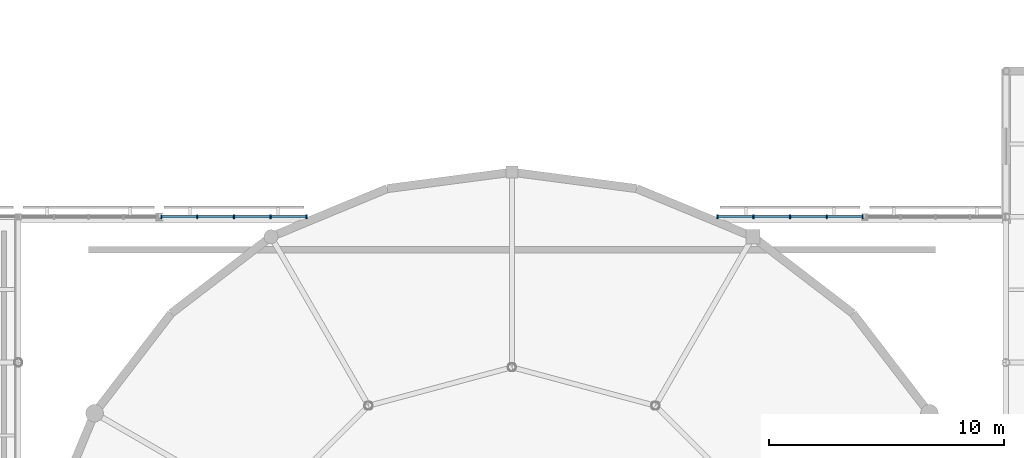
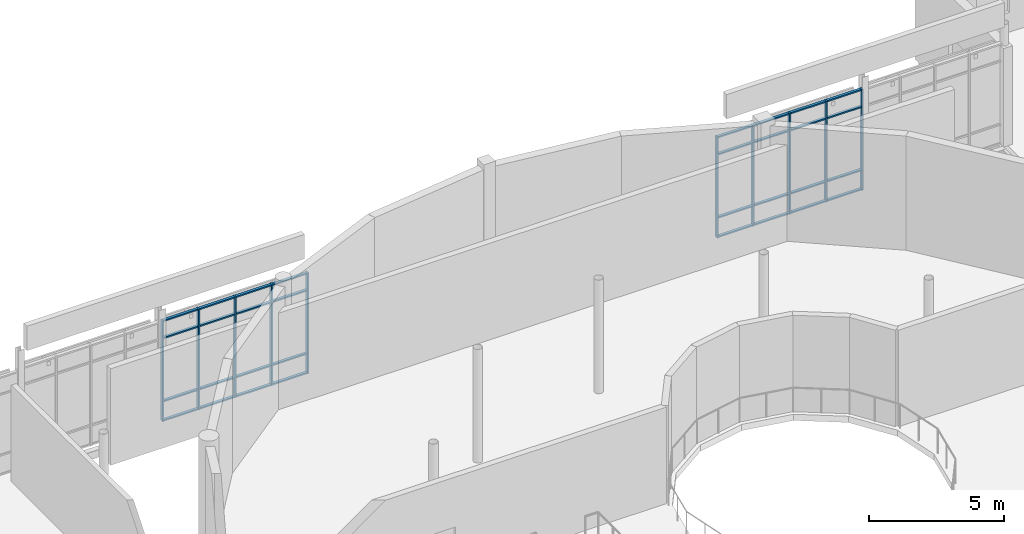
# One storey, part 40 of 105: 42 members, 2 elements without a shape of their own.
"""IFC4 building model written with IfcOpenShell, lengths in metres."""

from ifc_helpers import new_model, si_unit, direction, frame, origin, origin_2d, place, context, subcontext, project, spatial, rectangle, extrude, material, layer, layer_set, material_profile, profile_set, type_object, element, aggregate, save


model = new_model("IFC4")

# Units and contexts
model_context = context("Model", 3, precision=1e-05, world=origin(), true_north=direction((0.0, 1.0)))
body_context = subcontext(model_context, "Body", "Model", "MODEL_VIEW")
ifc_project = project(units=[si_unit("LENGTHUNIT", "METRE"), si_unit("AREAUNIT", "SQUARE_METRE"), si_unit("VOLUMEUNIT", "CUBIC_METRE"), si_unit("PLANEANGLEUNIT", "RADIAN"), si_unit("MASSUNIT", "GRAM", prefix="KILO")], contexts=[model_context])

# Site, building, storey
site_placement = place(None, origin())
site = spatial("IfcSite", under=ifc_project, at=site_placement, CompositionType="ELEMENT")
building_placement = place(site_placement, origin())
building = spatial("IfcBuilding", under=site, at=building_placement, Name="Mirzam Square Science Centre", CompositionType="ELEMENT")
storey_placement = place(building_placement, frame((0.0, 0.0, 5.39990234375)))
storey = spatial("IfcBuildingStorey", under=building, at=storey_placement, Name="L01", CompositionType="ELEMENT", Elevation=5.39990234375)

# Curtain wall, members
ifc_material_1 = material(Name="Anodised Aluminium and Low-E Solar Glass", Category="aluminium")
ifc_layer = layer(ifc_material_1, 0.199951171875)
ifc_layer_set = layer_set([ifc_layer], Name="CW-EAST-A")
curtain_wall_type = type_object("IfcCurtainWallType", Name="CW-EAST-A", PredefinedType="USERDEFINED", material=ifc_layer_set)
curtain_wall_1_placement = place(storey_placement, origin())
curtain_wall_1 = element("IfcCurtainWall", 1, at=curtain_wall_1_placement, inside=storey, type_object=curtain_wall_type, Name="L01 unitised curtain wall 52", ObjectType="UNITISED CURTAIN WALL", PredefinedType="USERDEFINED")
ifc_material_2 = material(Name="Anodised Architectural Aluminium 6063-T6", Category="aluminium")
ifc_material_profile_1 = material_profile(ifc_material_2, rectangle(XDim=0.06005859375, YDim=0.159912109375, at=origin_2d()), Name="ALU-MULL-160x60x4")
ifc_profile_set_1 = profile_set([ifc_material_profile_1], Name="Anodised Architectural Aluminium 6063-T6")
member_type_1 = type_object("IfcMemberType", Name="CWM-160", PredefinedType="MULLION", material=ifc_profile_set_1)
member_1_placement = place(storey_placement, frame((72.264892578125, 80.60009765625, 0.0), z_axis=(0.0, 0.0, 1.0), x_axis=(-1.0, 0.0, 0.0)))
member_1 = element("IfcMember", 2, at=member_1_placement, type_object=member_type_1, Name="CW-05 mullion 1", PredefinedType="MULLION", context=body_context, shape_type="SweptSolid", body=[
    extrude(rectangle(XDim=0.06005859375, YDim=0.159912109375, at=origin_2d()), origin(), (0.0, 0.0, 1.0), 4.550048828125),
])
member_2_placement = place(storey_placement, frame((70.735107421875, 80.60009765625, 0.0), z_axis=(0.0, 0.0, 1.0), x_axis=(-1.0, 0.0, 0.0)))
member_2 = element("IfcMember", 3, at=member_2_placement, type_object=member_type_1, Name="CW-05 mullion 2", PredefinedType="MULLION", context=body_context, shape_type="SweptSolid", body=[
    extrude(rectangle(XDim=0.06005859375, YDim=0.159912109375, at=origin_2d()), origin(), (0.0, 0.0, 1.0), 4.550048828125),
])
member_3_placement = place(storey_placement, frame((69.175048828125, 80.60009765625, 0.0), z_axis=(0.0, 0.0, 1.0), x_axis=(-1.0, 0.0, 0.0)))
member_3 = element("IfcMember", 4, at=member_3_placement, type_object=member_type_1, Name="CW-05 mullion 3", PredefinedType="MULLION", context=body_context, shape_type="SweptSolid", body=[
    extrude(rectangle(XDim=0.06005859375, YDim=0.159912109375, at=origin_2d()), origin(), (0.0, 0.0, 1.0), 4.550048828125),
])
member_4_placement = place(storey_placement, frame((67.614990234375, 80.60009765625, 0.0), z_axis=(0.0, 0.0, 1.0), x_axis=(-1.0, 0.0, 0.0)))
member_4 = element("IfcMember", 5, at=member_4_placement, type_object=member_type_1, Name="CW-05 mullion 4", PredefinedType="MULLION", context=body_context, shape_type="SweptSolid", body=[
    extrude(rectangle(XDim=0.06005859375, YDim=0.159912109375, at=origin_2d()), origin(), (0.0, 0.0, 1.0), 4.550048828125),
])
member_5_placement = place(storey_placement, frame((66.0849609375, 80.60009765625, 0.0), z_axis=(0.0, 0.0, 1.0), x_axis=(-1.0, 0.0, 0.0)))
member_5 = element("IfcMember", 6, at=member_5_placement, type_object=member_type_1, Name="CW-05 mullion 5", PredefinedType="MULLION", context=body_context, shape_type="SweptSolid", body=[
    extrude(rectangle(XDim=0.06005859375, YDim=0.159912109375, at=origin_2d()), origin(), (0.0, 0.0, 1.0), 4.550048828125),
])

curtain_wall_2_placement = place(storey_placement, origin())
curtain_wall_2 = element("IfcCurtainWall", 7, at=curtain_wall_2_placement, inside=storey, type_object=curtain_wall_type, Name="L01 unitised curtain wall 54", ObjectType="UNITISED CURTAIN WALL", PredefinedType="USERDEFINED")
member_6_placement = place(storey_placement, frame((95.9150390625, 80.60009765625, 0.0), z_axis=(0.0, 0.0, 1.0), x_axis=(-1.0, 0.0, 0.0)))
member_6 = element("IfcMember", 8, at=member_6_placement, type_object=member_type_1, Name="CW-05 mullion 1", PredefinedType="MULLION", context=body_context, shape_type="SweptSolid", body=[
    extrude(rectangle(XDim=0.06005859375, YDim=0.159912109375, at=origin_2d()), origin(), (0.0, 0.0, 1.0), 4.550048828125),
])
member_7_placement = place(storey_placement, frame((94.385009765625, 80.60009765625, 0.0), z_axis=(0.0, 0.0, 1.0), x_axis=(-1.0, 0.0, 0.0)))
member_7 = element("IfcMember", 9, at=member_7_placement, type_object=member_type_1, Name="CW-05 mullion 2", PredefinedType="MULLION", context=body_context, shape_type="SweptSolid", body=[
    extrude(rectangle(XDim=0.06005859375, YDim=0.159912109375, at=origin_2d()), origin(), (0.0, 0.0, 1.0), 4.550048828125),
])
member_8_placement = place(storey_placement, frame((92.824951171875, 80.60009765625, 0.0), z_axis=(0.0, 0.0, 1.0), x_axis=(-1.0, 0.0, 0.0)))
member_8 = element("IfcMember", 10, at=member_8_placement, type_object=member_type_1, Name="CW-05 mullion 3", PredefinedType="MULLION", context=body_context, shape_type="SweptSolid", body=[
    extrude(rectangle(XDim=0.06005859375, YDim=0.159912109375, at=origin_2d()), origin(), (0.0, 0.0, 1.0), 4.550048828125),
])
member_9_placement = place(storey_placement, frame((91.264892578125, 80.60009765625, 0.0), z_axis=(0.0, 0.0, 1.0), x_axis=(-1.0, 0.0, 0.0)))
member_9 = element("IfcMember", 11, at=member_9_placement, type_object=member_type_1, Name="CW-05 mullion 4", PredefinedType="MULLION", context=body_context, shape_type="SweptSolid", body=[
    extrude(rectangle(XDim=0.06005859375, YDim=0.159912109375, at=origin_2d()), origin(), (0.0, 0.0, 1.0), 4.550048828125),
])
member_10_placement = place(storey_placement, frame((89.735107421875, 80.60009765625, 0.0), z_axis=(0.0, 0.0, 1.0), x_axis=(-1.0, 0.0, 0.0)))
member_10 = element("IfcMember", 12, at=member_10_placement, type_object=member_type_1, Name="CW-05 mullion 5", PredefinedType="MULLION", context=body_context, shape_type="SweptSolid", body=[
    extrude(rectangle(XDim=0.06005859375, YDim=0.159912109375, at=origin_2d()), origin(), (0.0, 0.0, 1.0), 4.550048828125),
])

# Member
ifc_material_profile_2 = material_profile(ifc_material_2, rectangle(XDim=0.1201171875, YDim=0.06005859375, at=origin_2d()), Name="ALU-TRAN-120x60x4")
ifc_profile_set_2 = profile_set([ifc_material_profile_2], Name="Anodised Architectural Aluminium 6063-T6")
member_type_2 = type_object("IfcMemberType", Name="CWT-120", PredefinedType="USERDEFINED", material=ifc_profile_set_2)
member_11_placement = place(storey_placement, frame((72.235107421875, 80.60009765625, 0.030029296875), z_axis=(-1.0, 0.0, 0.0), x_axis=(0.0, -1.0, 0.0)))
member_11 = element("IfcMember", 13, at=member_11_placement, type_object=member_type_2, Name="CW-05 transom 1.1", ObjectType="TRANSOM", PredefinedType="USERDEFINED", context=body_context, shape_type="SweptSolid", body=[
    extrude(rectangle(XDim=0.1201171875, YDim=0.06005859375, at=origin_2d()), origin(), (0.0, 0.0, 1.0), 1.47021484375),
])

member_12_placement = place(storey_placement, frame((72.235107421875, 80.60009765625, 0.900146484375), z_axis=(-1.0, 0.0, 0.0), x_axis=(0.0, -1.0, 0.0)))
member_12 = element("IfcMember", 14, at=member_12_placement, type_object=member_type_2, Name="CW-05 transom 1.2", ObjectType="TRANSOM", PredefinedType="USERDEFINED", context=body_context, shape_type="SweptSolid", body=[
    extrude(rectangle(XDim=0.1201171875, YDim=0.06005859375, at=origin_2d()), origin(), (0.0, 0.0, 1.0), 1.47021484375),
])

member_13_placement = place(storey_placement, frame((72.235107421875, 80.60009765625, 3.75), z_axis=(-1.0, 0.0, 0.0), x_axis=(0.0, -1.0, 0.0)))
member_13 = element("IfcMember", 15, at=member_13_placement, type_object=member_type_2, Name="CW-05 transom 1.3", ObjectType="TRANSOM", PredefinedType="USERDEFINED", context=body_context, shape_type="SweptSolid", body=[
    extrude(rectangle(XDim=0.1201171875, YDim=0.06005859375, at=origin_2d()), origin(), (0.0, 0.0, 1.0), 1.47021484375),
])

member_14_placement = place(storey_placement, frame((72.235107421875, 80.60009765625, 4.52001953125), z_axis=(-1.0, 0.0, 0.0), x_axis=(0.0, -1.0, 0.0)))
member_14 = element("IfcMember", 16, at=member_14_placement, type_object=member_type_2, Name="CW-05 transom 1.4", ObjectType="TRANSOM", PredefinedType="USERDEFINED", context=body_context, shape_type="SweptSolid", body=[
    extrude(rectangle(XDim=0.1201171875, YDim=0.06005859375, at=origin_2d()), origin(), (0.0, 0.0, 1.0), 1.47021484375),
])

member_15_placement = place(storey_placement, frame((70.705078125, 80.60009765625, 0.030029296875), z_axis=(-1.0, 0.0, 0.0), x_axis=(0.0, -1.0, 0.0)))
member_15 = element("IfcMember", 17, at=member_15_placement, type_object=member_type_2, Name="CW-05 transom 2.1", ObjectType="TRANSOM", PredefinedType="USERDEFINED", context=body_context, shape_type="SweptSolid", body=[
    extrude(rectangle(XDim=0.1201171875, YDim=0.06005859375, at=origin_2d()), origin(), (0.0, 0.0, 1.0), 1.5),
])

member_16_placement = place(storey_placement, frame((70.705078125, 80.60009765625, 0.900146484375), z_axis=(-1.0, 0.0, 0.0), x_axis=(0.0, -1.0, 0.0)))
member_16 = element("IfcMember", 18, at=member_16_placement, type_object=member_type_2, Name="CW-05 transom 2.2", ObjectType="TRANSOM", PredefinedType="USERDEFINED", context=body_context, shape_type="SweptSolid", body=[
    extrude(rectangle(XDim=0.1201171875, YDim=0.06005859375, at=origin_2d()), origin(), (0.0, 0.0, 1.0), 1.5),
])

member_17_placement = place(storey_placement, frame((70.705078125, 80.60009765625, 3.75), z_axis=(-1.0, 0.0, 0.0), x_axis=(0.0, -1.0, 0.0)))
member_17 = element("IfcMember", 19, at=member_17_placement, type_object=member_type_2, Name="CW-05 transom 2.3", ObjectType="TRANSOM", PredefinedType="USERDEFINED", context=body_context, shape_type="SweptSolid", body=[
    extrude(rectangle(XDim=0.1201171875, YDim=0.06005859375, at=origin_2d()), origin(), (0.0, 0.0, 1.0), 1.5),
])

member_18_placement = place(storey_placement, frame((70.705078125, 80.60009765625, 4.52001953125), z_axis=(-1.0, 0.0, 0.0), x_axis=(0.0, -1.0, 0.0)))
member_18 = element("IfcMember", 20, at=member_18_placement, type_object=member_type_2, Name="CW-05 transom 2.4", ObjectType="TRANSOM", PredefinedType="USERDEFINED", context=body_context, shape_type="SweptSolid", body=[
    extrude(rectangle(XDim=0.1201171875, YDim=0.06005859375, at=origin_2d()), origin(), (0.0, 0.0, 1.0), 1.5),
])

member_19_placement = place(storey_placement, frame((69.14501953125, 80.60009765625, 0.030029296875), z_axis=(-1.0, 0.0, 0.0), x_axis=(0.0, -1.0, 0.0)))
member_19 = element("IfcMember", 21, at=member_19_placement, type_object=member_type_2, Name="CW-05 transom 3.1", ObjectType="TRANSOM", PredefinedType="USERDEFINED", context=body_context, shape_type="SweptSolid", body=[
    extrude(rectangle(XDim=0.1201171875, YDim=0.06005859375, at=origin_2d()), origin(), (0.0, 0.0, 1.0), 1.5),
])

member_20_placement = place(storey_placement, frame((69.14501953125, 80.60009765625, 0.900146484375), z_axis=(-1.0, 0.0, 0.0), x_axis=(0.0, -1.0, 0.0)))
member_20 = element("IfcMember", 22, at=member_20_placement, type_object=member_type_2, Name="CW-05 transom 3.2", ObjectType="TRANSOM", PredefinedType="USERDEFINED", context=body_context, shape_type="SweptSolid", body=[
    extrude(rectangle(XDim=0.1201171875, YDim=0.06005859375, at=origin_2d()), origin(), (0.0, 0.0, 1.0), 1.5),
])

member_21_placement = place(storey_placement, frame((69.14501953125, 80.60009765625, 3.75), z_axis=(-1.0, 0.0, 0.0), x_axis=(0.0, -1.0, 0.0)))
member_21 = element("IfcMember", 23, at=member_21_placement, type_object=member_type_2, Name="CW-05 transom 3.3", ObjectType="TRANSOM", PredefinedType="USERDEFINED", context=body_context, shape_type="SweptSolid", body=[
    extrude(rectangle(XDim=0.1201171875, YDim=0.06005859375, at=origin_2d()), origin(), (0.0, 0.0, 1.0), 1.5),
])

member_22_placement = place(storey_placement, frame((69.14501953125, 80.60009765625, 4.52001953125), z_axis=(-1.0, 0.0, 0.0), x_axis=(0.0, -1.0, 0.0)))
member_22 = element("IfcMember", 24, at=member_22_placement, type_object=member_type_2, Name="CW-05 transom 3.4", ObjectType="TRANSOM", PredefinedType="USERDEFINED", context=body_context, shape_type="SweptSolid", body=[
    extrude(rectangle(XDim=0.1201171875, YDim=0.06005859375, at=origin_2d()), origin(), (0.0, 0.0, 1.0), 1.5),
])

member_23_placement = place(storey_placement, frame((67.5849609375, 80.60009765625, 0.030029296875), z_axis=(-1.0, 0.0, 0.0), x_axis=(0.0, -1.0, 0.0)))
member_23 = element("IfcMember", 25, at=member_23_placement, type_object=member_type_2, Name="CW-05 transom 4.1", ObjectType="TRANSOM", PredefinedType="USERDEFINED", context=body_context, shape_type="SweptSolid", body=[
    extrude(rectangle(XDim=0.1201171875, YDim=0.06005859375, at=origin_2d()), origin(), (0.0, 0.0, 1.0), 1.469970703125),
])

member_24_placement = place(storey_placement, frame((67.5849609375, 80.60009765625, 0.900146484375), z_axis=(-1.0, 0.0, 0.0), x_axis=(0.0, -1.0, 0.0)))
member_24 = element("IfcMember", 26, at=member_24_placement, type_object=member_type_2, Name="CW-05 transom 4.2", ObjectType="TRANSOM", PredefinedType="USERDEFINED", context=body_context, shape_type="SweptSolid", body=[
    extrude(rectangle(XDim=0.1201171875, YDim=0.06005859375, at=origin_2d()), origin(), (0.0, 0.0, 1.0), 1.469970703125),
])

member_25_placement = place(storey_placement, frame((67.5849609375, 80.60009765625, 3.75), z_axis=(-1.0, 0.0, 0.0), x_axis=(0.0, -1.0, 0.0)))
member_25 = element("IfcMember", 27, at=member_25_placement, type_object=member_type_2, Name="CW-05 transom 4.3", ObjectType="TRANSOM", PredefinedType="USERDEFINED", context=body_context, shape_type="SweptSolid", body=[
    extrude(rectangle(XDim=0.1201171875, YDim=0.06005859375, at=origin_2d()), origin(), (0.0, 0.0, 1.0), 1.469970703125),
])

member_26_placement = place(storey_placement, frame((67.5849609375, 80.60009765625, 4.52001953125), z_axis=(-1.0, 0.0, 0.0), x_axis=(0.0, -1.0, 0.0)))
member_26 = element("IfcMember", 28, at=member_26_placement, type_object=member_type_2, Name="CW-05 transom 4.4", ObjectType="TRANSOM", PredefinedType="USERDEFINED", context=body_context, shape_type="SweptSolid", body=[
    extrude(rectangle(XDim=0.1201171875, YDim=0.06005859375, at=origin_2d()), origin(), (0.0, 0.0, 1.0), 1.469970703125),
])

aggregate(curtain_wall_1, [member_1, member_2, member_3, member_4, member_5, member_11, member_12, member_13, member_14, member_15, member_16, member_17, member_18, member_19, member_20, member_21, member_22, member_23, member_24, member_25, member_26])

member_27_placement = place(storey_placement, frame((95.885009765625, 80.60009765625, 0.030029296875), z_axis=(-1.0, 0.0, 0.0), x_axis=(0.0, -1.0, 0.0)))
member_27 = element("IfcMember", 29, at=member_27_placement, type_object=member_type_2, Name="CW-05 transom 1.1", ObjectType="TRANSOM", PredefinedType="USERDEFINED", context=body_context, shape_type="SweptSolid", body=[
    extrude(rectangle(XDim=0.1201171875, YDim=0.06005859375, at=origin_2d()), origin(), (0.0, 0.0, 1.0), 1.469970703125),
])

member_28_placement = place(storey_placement, frame((95.885009765625, 80.60009765625, 0.900146484375), z_axis=(-1.0, 0.0, 0.0), x_axis=(0.0, -1.0, 0.0)))
member_28 = element("IfcMember", 30, at=member_28_placement, type_object=member_type_2, Name="CW-05 transom 1.2", ObjectType="TRANSOM", PredefinedType="USERDEFINED", context=body_context, shape_type="SweptSolid", body=[
    extrude(rectangle(XDim=0.1201171875, YDim=0.06005859375, at=origin_2d()), origin(), (0.0, 0.0, 1.0), 1.469970703125),
])

member_29_placement = place(storey_placement, frame((95.885009765625, 80.60009765625, 3.75), z_axis=(-1.0, 0.0, 0.0), x_axis=(0.0, -1.0, 0.0)))
member_29 = element("IfcMember", 31, at=member_29_placement, type_object=member_type_2, Name="CW-05 transom 1.3", ObjectType="TRANSOM", PredefinedType="USERDEFINED", context=body_context, shape_type="SweptSolid", body=[
    extrude(rectangle(XDim=0.1201171875, YDim=0.06005859375, at=origin_2d()), origin(), (0.0, 0.0, 1.0), 1.469970703125),
])

member_30_placement = place(storey_placement, frame((95.885009765625, 80.60009765625, 4.52001953125), z_axis=(-1.0, 0.0, 0.0), x_axis=(0.0, -1.0, 0.0)))
member_30 = element("IfcMember", 32, at=member_30_placement, type_object=member_type_2, Name="CW-05 transom 1.4", ObjectType="TRANSOM", PredefinedType="USERDEFINED", context=body_context, shape_type="SweptSolid", body=[
    extrude(rectangle(XDim=0.1201171875, YDim=0.06005859375, at=origin_2d()), origin(), (0.0, 0.0, 1.0), 1.469970703125),
])

member_31_placement = place(storey_placement, frame((94.35498046875, 80.60009765625, 0.030029296875), z_axis=(-1.0, 0.0, 0.0), x_axis=(0.0, -1.0, 0.0)))
member_31 = element("IfcMember", 33, at=member_31_placement, type_object=member_type_2, Name="CW-05 transom 2.1", ObjectType="TRANSOM", PredefinedType="USERDEFINED", context=body_context, shape_type="SweptSolid", body=[
    extrude(rectangle(XDim=0.1201171875, YDim=0.06005859375, at=origin_2d()), origin(), (0.0, 0.0, 1.0), 1.5),
])

member_32_placement = place(storey_placement, frame((94.35498046875, 80.60009765625, 0.900146484375), z_axis=(-1.0, 0.0, 0.0), x_axis=(0.0, -1.0, 0.0)))
member_32 = element("IfcMember", 34, at=member_32_placement, type_object=member_type_2, Name="CW-05 transom 2.2", ObjectType="TRANSOM", PredefinedType="USERDEFINED", context=body_context, shape_type="SweptSolid", body=[
    extrude(rectangle(XDim=0.1201171875, YDim=0.06005859375, at=origin_2d()), origin(), (0.0, 0.0, 1.0), 1.5),
])

member_33_placement = place(storey_placement, frame((94.35498046875, 80.60009765625, 3.75), z_axis=(-1.0, 0.0, 0.0), x_axis=(0.0, -1.0, 0.0)))
member_33 = element("IfcMember", 35, at=member_33_placement, type_object=member_type_2, Name="CW-05 transom 2.3", ObjectType="TRANSOM", PredefinedType="USERDEFINED", context=body_context, shape_type="SweptSolid", body=[
    extrude(rectangle(XDim=0.1201171875, YDim=0.06005859375, at=origin_2d()), origin(), (0.0, 0.0, 1.0), 1.5),
])

member_34_placement = place(storey_placement, frame((94.35498046875, 80.60009765625, 4.52001953125), z_axis=(-1.0, 0.0, 0.0), x_axis=(0.0, -1.0, 0.0)))
member_34 = element("IfcMember", 36, at=member_34_placement, type_object=member_type_2, Name="CW-05 transom 2.4", ObjectType="TRANSOM", PredefinedType="USERDEFINED", context=body_context, shape_type="SweptSolid", body=[
    extrude(rectangle(XDim=0.1201171875, YDim=0.06005859375, at=origin_2d()), origin(), (0.0, 0.0, 1.0), 1.5),
])

member_35_placement = place(storey_placement, frame((92.794921875, 80.60009765625, 0.030029296875), z_axis=(-1.0, 0.0, 0.0), x_axis=(0.0, -1.0, 0.0)))
member_35 = element("IfcMember", 37, at=member_35_placement, type_object=member_type_2, Name="CW-05 transom 3.1", ObjectType="TRANSOM", PredefinedType="USERDEFINED", context=body_context, shape_type="SweptSolid", body=[
    extrude(rectangle(XDim=0.1201171875, YDim=0.06005859375, at=origin_2d()), origin(), (0.0, 0.0, 1.0), 1.5),
])

member_36_placement = place(storey_placement, frame((92.794921875, 80.60009765625, 0.900146484375), z_axis=(-1.0, 0.0, 0.0), x_axis=(0.0, -1.0, 0.0)))
member_36 = element("IfcMember", 38, at=member_36_placement, type_object=member_type_2, Name="CW-05 transom 3.2", ObjectType="TRANSOM", PredefinedType="USERDEFINED", context=body_context, shape_type="SweptSolid", body=[
    extrude(rectangle(XDim=0.1201171875, YDim=0.06005859375, at=origin_2d()), origin(), (0.0, 0.0, 1.0), 1.5),
])

member_37_placement = place(storey_placement, frame((92.794921875, 80.60009765625, 3.75), z_axis=(-1.0, 0.0, 0.0), x_axis=(0.0, -1.0, 0.0)))
member_37 = element("IfcMember", 39, at=member_37_placement, type_object=member_type_2, Name="CW-05 transom 3.3", ObjectType="TRANSOM", PredefinedType="USERDEFINED", context=body_context, shape_type="SweptSolid", body=[
    extrude(rectangle(XDim=0.1201171875, YDim=0.06005859375, at=origin_2d()), origin(), (0.0, 0.0, 1.0), 1.5),
])

member_38_placement = place(storey_placement, frame((92.794921875, 80.60009765625, 4.52001953125), z_axis=(-1.0, 0.0, 0.0), x_axis=(0.0, -1.0, 0.0)))
member_38 = element("IfcMember", 40, at=member_38_placement, type_object=member_type_2, Name="CW-05 transom 3.4", ObjectType="TRANSOM", PredefinedType="USERDEFINED", context=body_context, shape_type="SweptSolid", body=[
    extrude(rectangle(XDim=0.1201171875, YDim=0.06005859375, at=origin_2d()), origin(), (0.0, 0.0, 1.0), 1.5),
])

member_39_placement = place(storey_placement, frame((91.235107421875, 80.60009765625, 0.030029296875), z_axis=(-1.0, 0.0, 0.0), x_axis=(0.0, -1.0, 0.0)))
member_39 = element("IfcMember", 41, at=member_39_placement, type_object=member_type_2, Name="CW-05 transom 4.1", ObjectType="TRANSOM", PredefinedType="USERDEFINED", context=body_context, shape_type="SweptSolid", body=[
    extrude(rectangle(XDim=0.1201171875, YDim=0.06005859375, at=origin_2d()), origin(), (0.0, 0.0, 1.0), 1.47021484375),
])

member_40_placement = place(storey_placement, frame((91.235107421875, 80.60009765625, 0.900146484375), z_axis=(-1.0, 0.0, 0.0), x_axis=(0.0, -1.0, 0.0)))
member_40 = element("IfcMember", 42, at=member_40_placement, type_object=member_type_2, Name="CW-05 transom 4.2", ObjectType="TRANSOM", PredefinedType="USERDEFINED", context=body_context, shape_type="SweptSolid", body=[
    extrude(rectangle(XDim=0.1201171875, YDim=0.06005859375, at=origin_2d()), origin(), (0.0, 0.0, 1.0), 1.47021484375),
])

member_41_placement = place(storey_placement, frame((91.235107421875, 80.60009765625, 3.75), z_axis=(-1.0, 0.0, 0.0), x_axis=(0.0, -1.0, 0.0)))
member_41 = element("IfcMember", 43, at=member_41_placement, type_object=member_type_2, Name="CW-05 transom 4.3", ObjectType="TRANSOM", PredefinedType="USERDEFINED", context=body_context, shape_type="SweptSolid", body=[
    extrude(rectangle(XDim=0.1201171875, YDim=0.06005859375, at=origin_2d()), origin(), (0.0, 0.0, 1.0), 1.47021484375),
])

member_42_placement = place(storey_placement, frame((91.235107421875, 80.60009765625, 4.52001953125), z_axis=(-1.0, 0.0, 0.0), x_axis=(0.0, -1.0, 0.0)))
member_42 = element("IfcMember", 44, at=member_42_placement, type_object=member_type_2, Name="CW-05 transom 4.4", ObjectType="TRANSOM", PredefinedType="USERDEFINED", context=body_context, shape_type="SweptSolid", body=[
    extrude(rectangle(XDim=0.1201171875, YDim=0.06005859375, at=origin_2d()), origin(), (0.0, 0.0, 1.0), 1.47021484375),
])

aggregate(curtain_wall_2, [member_6, member_7, member_8, member_9, member_10, member_27, member_28, member_29, member_30, member_31, member_32, member_33, member_34, member_35, member_36, member_37, member_38, member_39, member_40, member_41, member_42])

save(model, "model.ifc")
